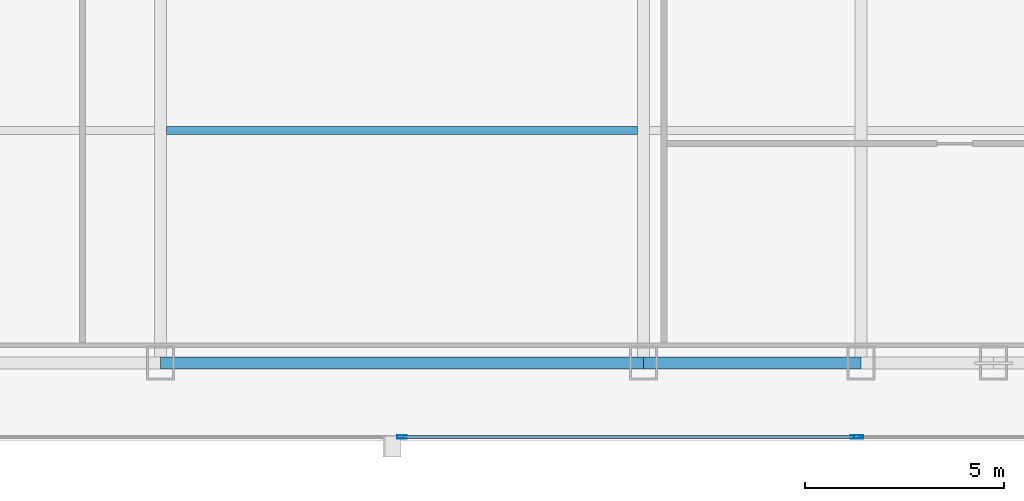
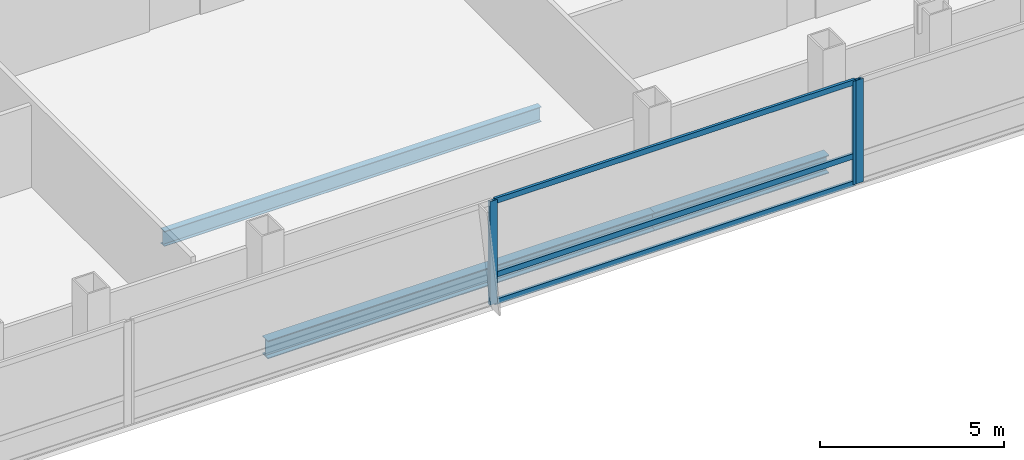
# One storey, part 13 of 29: 6 members, 3 beams, 2 elements without a shape of their own.
"""IFC4 building model written with IfcOpenShell, lengths in metres."""

from ifc_helpers import new_model, si_unit, direction, frame, origin, origin_2d, place, context, subcontext, project, spatial, hollow_rectangle, i_section, extrude, material, material_profile, profile_set, type_object, element, aggregate, save


model = new_model("IFC4")

# Units and contexts
model_context = context("Model", 3, precision=1e-05, world=origin(), true_north=direction((0.0, 1.0)))
body_context = subcontext(model_context, "Body", "Model", "MODEL_VIEW")
ifc_project = project(units=[si_unit("LENGTHUNIT", "METRE"), si_unit("AREAUNIT", "SQUARE_METRE"), si_unit("VOLUMEUNIT", "CUBIC_METRE"), si_unit("PLANEANGLEUNIT", "RADIAN"), si_unit("MASSUNIT", "GRAM", prefix="KILO")], contexts=[model_context])

# Site, building, storey
site_placement = place(None, origin())
site = spatial("IfcSite", under=ifc_project, at=site_placement, CompositionType="ELEMENT")
building_placement = place(site_placement, origin())
building = spatial("IfcBuilding", under=site, at=building_placement, Name="Khoronbel Lancet Exchange", CompositionType="ELEMENT")
storey_placement = place(building_placement, frame((0.0, 0.0, 177.0)))
storey = spatial("IfcBuildingStorey", under=building, at=storey_placement, Name="L44", CompositionType="ELEMENT", Elevation=177.0)

# Beams
ifc_material_1 = material(Name="Steel S355", Category="steel")
ifc_material_profile_1 = material_profile(ifc_material_1, i_section(OverallWidth=0.199951171875, OverallDepth=0.5, WebThickness=0.01025390625, FlangeThickness=0.01611328125, at=origin_2d()), Name="IPE 500")
ifc_profile_set_1 = profile_set([ifc_material_profile_1], Name="Steel S355")
beam_type_1 = type_object("IfcBeamType", Name="BM-BJ3", PredefinedType="JOIST", material=ifc_profile_set_1)
beam_1_placement = place(storey_placement, frame((30.52490234375, 16.0, -0.409912109375), z_axis=(1.0, 0.0, 0.0), x_axis=(0.0, 1.0, 0.0)))
element("IfcBeam", 1, at=beam_1_placement, inside=storey, type_object=beam_type_1, Name="Level L44 secondary composite joist J03", PredefinedType="JOIST", context=body_context, shape_type="SweptSolid", body=[
    extrude(i_section(OverallWidth=0.199951171875, OverallDepth=0.5, WebThickness=0.01025390625, FlangeThickness=0.01611328125, at=origin_2d()), origin(), (0.0, 0.0, 1.0), 11.85009765625),
])
ifc_material_profile_2 = material_profile(ifc_material_1, i_section(OverallWidth=0.300048828125, OverallDepth=0.60009765625, WebThickness=0.015380859375, FlangeThickness=0.030029296875, at=origin_2d()), Name="HEB 600")
ifc_profile_set_2 = profile_set([ifc_material_profile_2], Name="Steel S355")
beam_type_2 = type_object("IfcBeamType", Name="BM-BSP2", PredefinedType="SPANDREL", material=ifc_profile_set_2)
beam_2_placement = place(storey_placement, frame((30.375, 10.14990234375, -0.4599609375), z_axis=(1.0, 0.0, 0.0), x_axis=(0.0, 1.0, 0.0)))
element("IfcBeam", 2, at=beam_2_placement, inside=storey, type_object=beam_type_2, Name="Level L44 perimeter spandrel beam SP05", PredefinedType="SPANDREL", context=body_context, shape_type="SweptSolid", body=[
    extrude(i_section(OverallWidth=0.300048828125, OverallDepth=0.60009765625, WebThickness=0.015380859375, FlangeThickness=0.030029296875, at=origin_2d()), origin(), (0.0, 0.0, 1.0), 12.14990234375),
])
beam_3_placement = place(storey_placement, frame((42.52490234375, 10.14990234375, -0.4599609375), z_axis=(1.0, 0.0, 0.0), x_axis=(0.0, 1.0, 0.0)))
element("IfcBeam", 3, at=beam_3_placement, inside=storey, type_object=beam_type_2, Name="Level L44 perimeter spandrel beam SP06", PredefinedType="SPANDREL", context=body_context, shape_type="SweptSolid", body=[
    extrude(i_section(OverallWidth=0.300048828125, OverallDepth=0.60009765625, WebThickness=0.015380859375, FlangeThickness=0.030029296875, at=origin_2d()), origin(), (0.0, 0.0, 1.0), 5.47509765625),
])

# Curtain wall, members
ifc_material_2 = material(Name="Low-E Solar Control Insulating Glass", Category="glass")
curtain_wall_type = type_object("IfcCurtainWallType", Name="CW-3", PredefinedType="NOTDEFINED", material=ifc_material_2)
curtain_wall_1_placement = place(storey_placement, origin())
curtain_wall_1 = element("IfcCurtainWall", 4, at=curtain_wall_1_placement, inside=storey, type_object=curtain_wall_type, Name="Unitised curtain wall CW-L44-SCV", PredefinedType="NOTDEFINED")
ifc_material_3 = material(Name="Bronze-Anodised Aluminium 6063-T6", Category="aluminium")
ifc_material_profile_3 = material_profile(ifc_material_3, hollow_rectangle(XDim=0.0849609375, YDim=0.239990234375, WallThickness=0.006103515625, at=origin_2d()), Name="ALU MULLION 85x240")
ifc_profile_set_3 = profile_set([ifc_material_profile_3], Name="Bronze-Anodised Aluminium 6063-T6")
member_type_1 = type_object("IfcMemberType", Name="MEM-CWM1", PredefinedType="MULLION", material=ifc_profile_set_3)
member_1_placement = place(storey_placement, frame((36.449951171875, 8.2900390625, 0.0), z_axis=(0.0, 0.0, 1.0), x_axis=(0.0, 1.0, 0.0)))
member_1 = element("IfcMember", 5, at=member_1_placement, type_object=member_type_1, Name="CW3 mullion 2", PredefinedType="MULLION", context=body_context, shape_type="SweptSolid", body=[
    extrude(hollow_rectangle(XDim=0.0849609375, YDim=0.239990234375, WallThickness=0.006103515625, at=origin_2d()), origin(), (0.0, 0.0, 1.0), 3.43994140625),
])
member_2_placement = place(storey_placement, frame((47.857421875, 8.2900390625, 0.0), z_axis=(0.0, 0.0, 1.0), x_axis=(0.0, 1.0, 0.0)))
member_2 = element("IfcMember", 6, at=member_2_placement, type_object=member_type_1, Name="CW3 mullion 3", PredefinedType="MULLION", context=body_context, shape_type="SweptSolid", body=[
    extrude(hollow_rectangle(XDim=0.0849609375, YDim=0.239990234375, WallThickness=0.006103515625, at=origin_2d()), origin(), (0.0, 0.0, 1.0), 3.43994140625),
])

# Curtain wall, member
curtain_wall_2_placement = place(storey_placement, origin())
curtain_wall_2 = element("IfcCurtainWall", 7, at=curtain_wall_2_placement, inside=storey, type_object=curtain_wall_type, Name="Unitised curtain wall CW-L44-SEB", PredefinedType="NOTDEFINED")
member_3_placement = place(storey_placement, frame((47.9423828125, 8.2900390625, 0.0), z_axis=(0.0, 0.0, 1.0), x_axis=(0.0, 1.0, 0.0)))
member_3 = element("IfcMember", 8, at=member_3_placement, type_object=member_type_1, Name="CW3 mullion 1", PredefinedType="MULLION", context=body_context, shape_type="SweptSolid", body=[
    extrude(hollow_rectangle(XDim=0.0849609375, YDim=0.239990234375, WallThickness=0.006103515625, at=origin_2d()), origin(), (0.0, 0.0, 1.0), 3.43994140625),
])
aggregate(curtain_wall_2, [member_3])

# Member
ifc_material_profile_4 = material_profile(ifc_material_3, hollow_rectangle(XDim=0.0849609375, YDim=0.179931640625, WallThickness=0.0048828125, at=origin_2d()), Name="ALU TRANSOM 85x180")
ifc_profile_set_4 = profile_set([ifc_material_profile_4], Name="Bronze-Anodised Aluminium 6063-T6")
member_type_2 = type_object("IfcMemberType", Name="MEM-CWT1", PredefinedType="USERDEFINED", material=ifc_profile_set_4)
member_4_placement = place(storey_placement, frame((36.492431640625, 8.2900390625, 0.04248046875), z_axis=(1.0, 0.0, 0.0), x_axis=(0.0, 1.0, 0.0)))
member_4 = element("IfcMember", 9, at=member_4_placement, type_object=member_type_2, Name="CW3 transom 2.1", ObjectType="TRANSOM", PredefinedType="USERDEFINED", context=body_context, shape_type="SweptSolid", body=[
    extrude(hollow_rectangle(XDim=0.0849609375, YDim=0.179931640625, WallThickness=0.0048828125, at=origin_2d()), origin(), (0.0, 0.0, 1.0), 11.322509765625),
])

member_5_placement = place(storey_placement, frame((36.492431640625, 8.2900390625, 0.949951171875), z_axis=(1.0, 0.0, 0.0), x_axis=(0.0, 1.0, 0.0)))
member_5 = element("IfcMember", 10, at=member_5_placement, type_object=member_type_2, Name="CW3 transom 2.2", ObjectType="TRANSOM", PredefinedType="USERDEFINED", context=body_context, shape_type="SweptSolid", body=[
    extrude(hollow_rectangle(XDim=0.0849609375, YDim=0.179931640625, WallThickness=0.0048828125, at=origin_2d()), origin(), (0.0, 0.0, 1.0), 11.322509765625),
])

member_6_placement = place(storey_placement, frame((36.492431640625, 8.2900390625, 3.3974609375), z_axis=(1.0, 0.0, 0.0), x_axis=(0.0, 1.0, 0.0)))
member_6 = element("IfcMember", 11, at=member_6_placement, type_object=member_type_2, Name="CW3 transom 2.3", ObjectType="TRANSOM", PredefinedType="USERDEFINED", context=body_context, shape_type="SweptSolid", body=[
    extrude(hollow_rectangle(XDim=0.0849609375, YDim=0.179931640625, WallThickness=0.0048828125, at=origin_2d()), origin(), (0.0, 0.0, 1.0), 11.322509765625),
])

aggregate(curtain_wall_1, [member_1, member_2, member_4, member_5, member_6])

save(model, "model.ifc")
